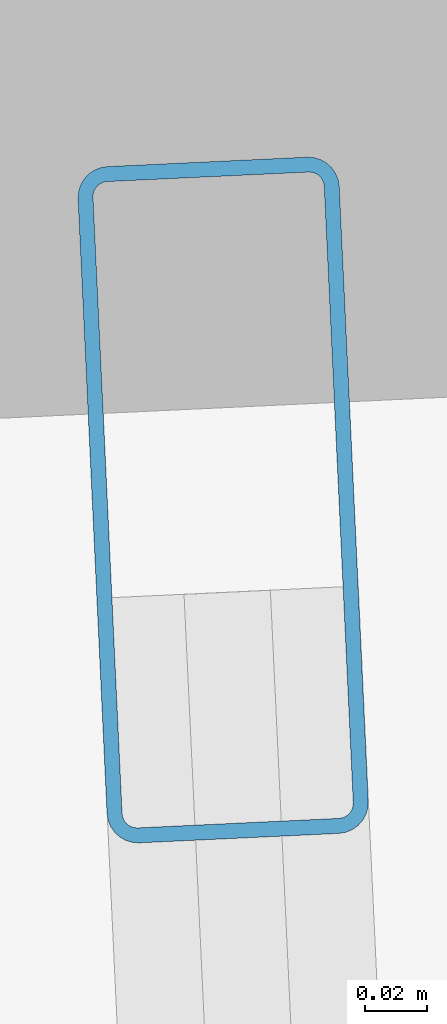
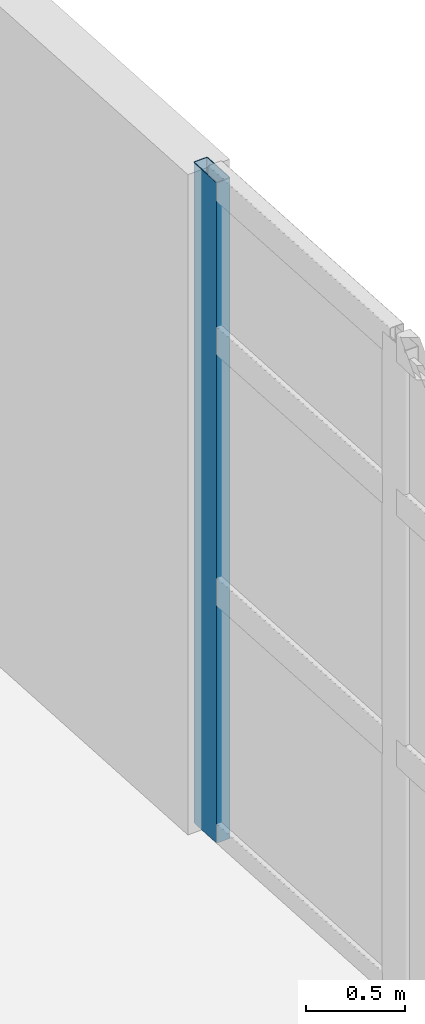
# One storey, part 11 of 22: 1 member, 1 element without a shape of its own.
"""IFC4 building model written with IfcOpenShell, lengths in metres."""

from ifc_helpers import new_model, si_unit, direction, frame, origin, origin_2d, place, context, subcontext, project, spatial, hollow_rectangle, extrude, material, layer, layer_set, material_profile, profile_set, type_object, element, aggregate, save


model = new_model("IFC4")

# Units and contexts
model_context = context("Model", 3, precision=1e-05, world=origin(), true_north=direction((0.0, 1.0)))
body_context = subcontext(model_context, "Body", "Model", "MODEL_VIEW")
ifc_project = project(units=[si_unit("LENGTHUNIT", "METRE"), si_unit("AREAUNIT", "SQUARE_METRE"), si_unit("VOLUMEUNIT", "CUBIC_METRE"), si_unit("PLANEANGLEUNIT", "RADIAN"), si_unit("MASSUNIT", "GRAM", prefix="KILO")], contexts=[model_context])

# Site, building, storey
site_placement = place(None, origin())
site = spatial("IfcSite", under=ifc_project, at=site_placement, CompositionType="ELEMENT")
building_placement = place(site_placement, origin())
building = spatial("IfcBuilding", under=site, at=building_placement, Name="Qingluan Cross Belvedere", CompositionType="ELEMENT")
storey_placement = place(building_placement, frame((0.0, 0.0, 294.0)))
storey = spatial("IfcBuildingStorey", under=building, at=storey_placement, Name="L73", CompositionType="ELEMENT", Elevation=294.0)

# Curtain wall, member
ifc_material_1 = material(Name="Thermally broken aluminium and Low-E glass", Category="aluminium")
ifc_layer = layer(ifc_material_1, 0.179931640625, Name="ObservationCW_DamperGallery")
ifc_layer_set = layer_set([ifc_layer], Name="Thermally broken aluminium and Low-E glass")
curtain_wall_type = type_object("IfcCurtainWallType", Name="ObservationCW_DamperGallery", PredefinedType="USERDEFINED", material=ifc_layer_set)
curtain_wall_placement = place(storey_placement, origin())
curtain_wall = element("IfcCurtainWall", 1, at=curtain_wall_placement, inside=storey, type_object=curtain_wall_type, Name="ObservationCW_DamperGallery run env:cw:L73:E", ObjectType="OBSERVATION GLAZING WALL", PredefinedType="USERDEFINED")
ifc_material_2 = material(Name="Aluminium alloy 6063-T6", Category="aluminium")
ifc_material_profile = material_profile(ifc_material_2, hollow_rectangle(XDim=0.0849609375, YDim=0.219970703125, WallThickness=0.0048828125, InnerFilletRadius=0.0048828125, OuterFilletRadius=0.010009765625, at=origin_2d()), Name="CWM220x85x5")
ifc_profile_set = profile_set([ifc_material_profile], Name="Aluminium alloy 6063-T6")
member_type = type_object("IfcMemberType", Name="CWMullion_220", PredefinedType="MULLION", material=ifc_profile_set)
member_placement = place(storey_placement, frame((24.427978515625, 3.802978515625, 0.0), z_axis=(0.0, 0.0, 1.0), x_axis=(-0.998889034155, -0.047124276604, 0.0)))
member = element("IfcMember", 2, at=member_placement, type_object=member_type, Name="CW-C1 mullion 4", PredefinedType="MULLION", context=body_context, shape_type="SweptSolid", body=[
    extrude(hollow_rectangle(XDim=0.0849609375, YDim=0.219970703125, WallThickness=0.0048828125, InnerFilletRadius=0.0048828125, OuterFilletRadius=0.010009765625, at=origin_2d()), origin(), (0.0, 0.0, 1.0), 4.06005859375),
])
aggregate(curtain_wall, [member])

save(model, "model.ifc")
